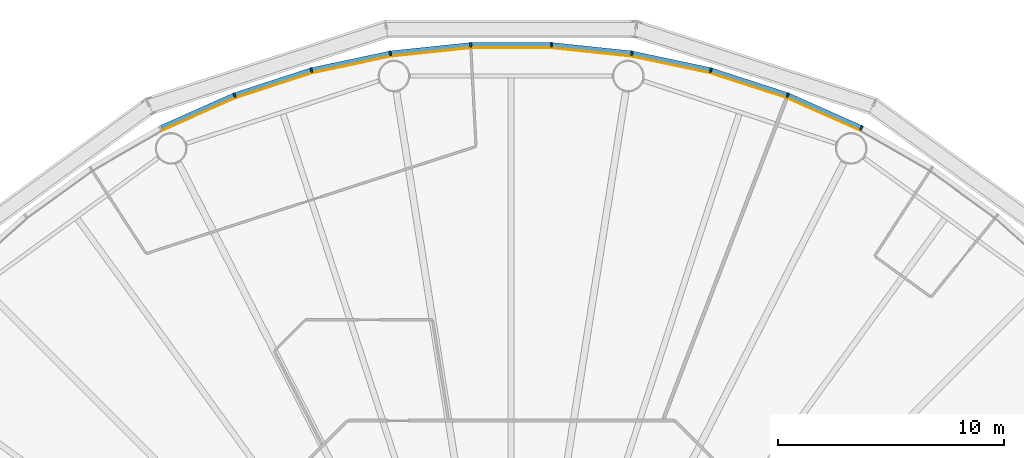
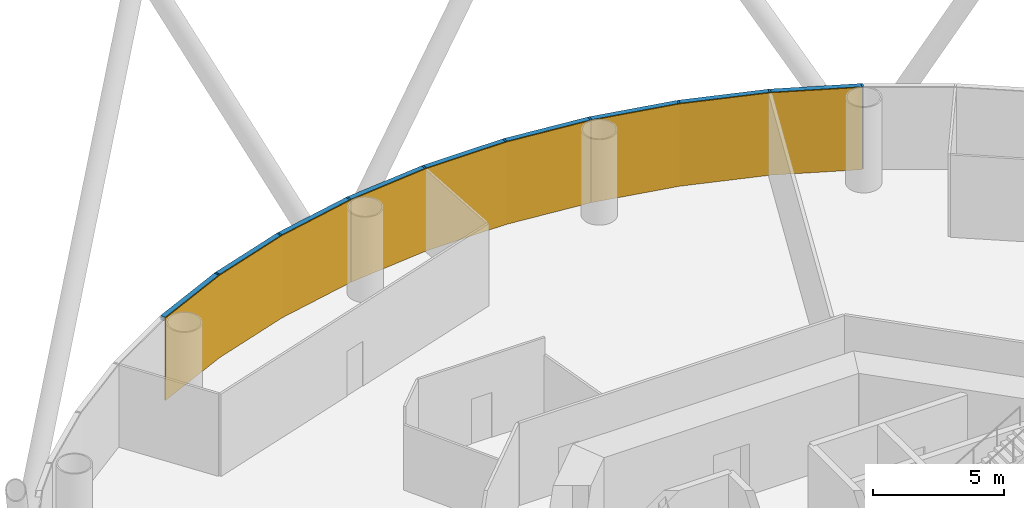
# One storey, part 12 of 13: 18 members, 3 curtain walls.
"""IFC4 building model written with IfcOpenShell, lengths in metres."""

from ifc_helpers import new_model, si_unit, direction, frame, origin, origin_2d, place, context, subcontext, project, spatial, polyline, rectangle, outline, extrude, material, layer, layer_set, material_profile, profile_set, type_object, element, aggregate, save


model = new_model("IFC4")

# Units and contexts
model_context = context("Model", 3, precision=1e-05, world=origin(), true_north=direction((0.0, 1.0)))
body_context = subcontext(model_context, "Body", "Model", "MODEL_VIEW")
ifc_project = project(units=[si_unit("LENGTHUNIT", "METRE"), si_unit("AREAUNIT", "SQUARE_METRE"), si_unit("VOLUMEUNIT", "CUBIC_METRE"), si_unit("PLANEANGLEUNIT", "RADIAN"), si_unit("MASSUNIT", "GRAM", prefix="KILO")], contexts=[model_context])

# Member
ifc_material_1 = material(Name="Anodised aluminium", Category="aluminium")
ifc_material_profile_1 = material_profile(ifc_material_1, rectangle(XDim=0.074951171875, YDim=0.219970703125, at=origin_2d()), Name="Mullion 75 x 220 mm anodised aluminium")
ifc_profile_set_1 = profile_set([ifc_material_profile_1], Name="Anodised aluminium")
member_type_1 = type_object("IfcMemberType", Name="Mullion 75 x 220 mm anodised aluminium", PredefinedType="MULLION", material=ifc_profile_set_1)
site_placement = place(None, origin())
building_placement = place(site_placement, origin())
storey_placement = place(building_placement, frame((0.0, 0.0, 18.0)))
member_1_placement = place(storey_placement, frame((105.485595703125, 110.392333984375, 0.0), z_axis=(0.0, 0.0, 1.0), x_axis=(-0.891006524188, 0.45399049974, 0.0)))
member_1 = element("IfcMember", 1, at=member_1_placement, type_object=member_type_1, Name="MULLION L02-09", PredefinedType="MULLION", context=body_context, shape_type="SweptSolid", body=[
    extrude(rectangle(XDim=0.074951171875, YDim=0.219970703125, at=origin_2d()), origin(), (0.0, 0.0, 1.0), 3.85009765625),
])

member_2_placement = place(storey_placement, frame((102.223876953125, 111.844482421875, 0.0), z_axis=(0.0, 0.0, 1.0), x_axis=(-0.933580426497, 0.358367949545, 0.0)))
member_2 = element("IfcMember", 2, at=member_2_placement, type_object=member_type_1, Name="MULLION L02-10", PredefinedType="MULLION", context=body_context, shape_type="SweptSolid", body=[
    extrude(rectangle(XDim=0.074951171875, YDim=0.219970703125, at=origin_2d()), origin(), (0.0, 0.0, 1.0), 3.85009765625),
])

member_3_placement = place(storey_placement, frame((98.828369140625, 112.94775390625, 0.0), z_axis=(0.0, 0.0, 1.0), x_axis=(-0.965925826289, 0.258819045103, 0.0)))
member_3 = element("IfcMember", 3, at=member_3_placement, type_object=member_type_1, Name="MULLION L02-11", PredefinedType="MULLION", context=body_context, shape_type="SweptSolid", body=[
    extrude(rectangle(XDim=0.074951171875, YDim=0.219970703125, at=origin_2d()), origin(), (0.0, 0.0, 1.0), 3.85009765625),
])

member_4_placement = place(storey_placement, frame((95.3359375, 113.68994140625, 0.0), z_axis=(0.0, 0.0, 1.0), x_axis=(-0.987688340595, 0.15643446504, 0.0)))
member_4 = element("IfcMember", 4, at=member_4_placement, type_object=member_type_1, Name="MULLION L02-12", PredefinedType="MULLION", context=body_context, shape_type="SweptSolid", body=[
    extrude(rectangle(XDim=0.074951171875, YDim=0.219970703125, at=origin_2d()), origin(), (0.0, 0.0, 1.0), 3.85009765625),
])

member_5_placement = place(storey_placement, frame((91.78515625, 114.063232421875, 0.0), z_axis=(0.0, 0.0, 1.0), x_axis=(-0.998629534755, 0.052335956243, 0.0)))
member_5 = element("IfcMember", 5, at=member_5_placement, type_object=member_type_1, Name="MULLION L02-13", PredefinedType="MULLION", context=body_context, shape_type="SweptSolid", body=[
    extrude(rectangle(XDim=0.074951171875, YDim=0.219970703125, at=origin_2d()), origin(), (0.0, 0.0, 1.0), 3.85009765625),
])

member_6_placement = place(storey_placement, frame((88.21484375, 114.063232421875, 0.0), z_axis=(0.0, 0.0, 1.0), x_axis=(-0.998629534755, -0.052335956243, 0.0)))
member_6 = element("IfcMember", 6, at=member_6_placement, type_object=member_type_1, Name="MULLION L02-14", PredefinedType="MULLION", context=body_context, shape_type="SweptSolid", body=[
    extrude(rectangle(XDim=0.074951171875, YDim=0.219970703125, at=origin_2d()), origin(), (0.0, 0.0, 1.0), 3.85009765625),
])

member_7_placement = place(storey_placement, frame((84.6640625, 113.68994140625, 0.0), z_axis=(0.0, 0.0, 1.0), x_axis=(-0.987688340595, -0.15643446504, 0.0)))
member_7 = element("IfcMember", 7, at=member_7_placement, type_object=member_type_1, Name="MULLION L02-15", PredefinedType="MULLION", context=body_context, shape_type="SweptSolid", body=[
    extrude(rectangle(XDim=0.074951171875, YDim=0.219970703125, at=origin_2d()), origin(), (0.0, 0.0, 1.0), 3.85009765625),
])

member_8_placement = place(storey_placement, frame((81.171630859375, 112.94775390625, 0.0), z_axis=(0.0, 0.0, 1.0), x_axis=(-0.965925826289, -0.258819045103, 0.0)))
member_8 = element("IfcMember", 8, at=member_8_placement, type_object=member_type_1, Name="MULLION L02-16", PredefinedType="MULLION", context=body_context, shape_type="SweptSolid", body=[
    extrude(rectangle(XDim=0.074951171875, YDim=0.219970703125, at=origin_2d()), origin(), (0.0, 0.0, 1.0), 3.85009765625),
])

member_9_placement = place(storey_placement, frame((77.776123046875, 111.844482421875, 0.0), z_axis=(0.0, 0.0, 1.0), x_axis=(-0.933580426497, -0.358367949545, 0.0)))
member_9 = element("IfcMember", 9, at=member_9_placement, type_object=member_type_1, Name="MULLION L02-17", PredefinedType="MULLION", context=body_context, shape_type="SweptSolid", body=[
    extrude(rectangle(XDim=0.074951171875, YDim=0.219970703125, at=origin_2d()), origin(), (0.0, 0.0, 1.0), 3.85009765625),
])

ifc_material_2 = material(Name="Anodised aluminium", Category="aluminium")
ifc_material_profile_2 = material_profile(ifc_material_2, rectangle(XDim=0.219970703125, YDim=0.199951171875, at=origin_2d()), Name="Transom 200 x 220 mm anodised aluminium")
ifc_profile_set_2 = profile_set([ifc_material_profile_2], Name="Anodised aluminium")
member_type_2 = type_object("IfcMemberType", Name="Transom 200 x 220 mm anodised aluminium", PredefinedType="USERDEFINED", material=ifc_profile_set_2)
member_10_placement = place(storey_placement, frame((105.446044921875, 110.409912109375, 3.75), z_axis=(-0.913545487371, 0.406736576304, 0.0), x_axis=(-0.406736576304, -0.913545487371, 0.0)))
member_10 = element("IfcMember", 10, at=member_10_placement, type_object=member_type_2, Name="TRANSOM L02-09", ObjectType="TRANSOM", PredefinedType="USERDEFINED", context=body_context, shape_type="SweptSolid", body=[
    extrude(rectangle(XDim=0.219970703125, YDim=0.199951171875, at=origin_2d()), origin(), (0.0, 0.0, 1.0), 3.48388671875),
])

member_11_placement = place(storey_placement, frame((102.182861328125, 111.85791015625, 3.75), z_axis=(-0.951052605696, 0.309029029702, 0.0), x_axis=(-0.309029029702, -0.951052605696, 0.0)))
member_11 = element("IfcMember", 11, at=member_11_placement, type_object=member_type_2, Name="TRANSOM L02-10", ObjectType="TRANSOM", PredefinedType="USERDEFINED", context=body_context, shape_type="SweptSolid", body=[
    extrude(rectangle(XDim=0.219970703125, YDim=0.199951171875, at=origin_2d()), origin(), (0.0, 0.0, 1.0), 3.484130859375),
])

member_12_placement = place(storey_placement, frame((98.7861328125, 112.956787109375, 3.75), z_axis=(-0.978145669426, 0.207920776701, 0.0), x_axis=(-0.207920776701, -0.978145669426, 0.0)))
member_12 = element("IfcMember", 12, at=member_12_placement, type_object=member_type_2, Name="TRANSOM L02-11", ObjectType="TRANSOM", PredefinedType="USERDEFINED", context=body_context, shape_type="SweptSolid", body=[
    extrude(rectangle(XDim=0.219970703125, YDim=0.199951171875, at=origin_2d()), origin(), (0.0, 0.0, 1.0), 3.48388671875),
])

member_13_placement = place(storey_placement, frame((95.29296875, 113.69482421875, 3.75), z_axis=(-0.994526551648, 0.104484152234, 0.0), x_axis=(-0.104484152234, -0.994526551648, 0.0)))
member_13 = element("IfcMember", 13, at=member_13_placement, type_object=member_type_2, Name="TRANSOM L02-12", ObjectType="TRANSOM", PredefinedType="USERDEFINED", context=body_context, shape_type="SweptSolid", body=[
    extrude(rectangle(XDim=0.219970703125, YDim=0.199951171875, at=origin_2d()), origin(), (0.0, 0.0, 1.0), 3.48388671875),
])

member_14_placement = place(storey_placement, frame((91.741943359375, 114.0634765625, 3.75), z_axis=(-1.0, 0.0, 0.0), x_axis=(0.0, -1.0, 0.0)))
member_14 = element("IfcMember", 14, at=member_14_placement, type_object=member_type_2, Name="TRANSOM L02-13", ObjectType="TRANSOM", PredefinedType="USERDEFINED", context=body_context, shape_type="SweptSolid", body=[
    extrude(rectangle(XDim=0.219970703125, YDim=0.199951171875, at=origin_2d()), origin(), (0.0, 0.0, 1.0), 3.48388671875),
])

member_15_placement = place(storey_placement, frame((88.171875, 114.058837890625, 3.75), z_axis=(-0.994526551648, -0.104484152234, 0.0), x_axis=(0.104484152234, -0.994526551648, 0.0)))
member_15 = element("IfcMember", 15, at=member_15_placement, type_object=member_type_2, Name="TRANSOM L02-14", ObjectType="TRANSOM", PredefinedType="USERDEFINED", context=body_context, shape_type="SweptSolid", body=[
    extrude(rectangle(XDim=0.219970703125, YDim=0.199951171875, at=origin_2d()), origin(), (0.0, 0.0, 1.0), 3.48388671875),
])

member_16_placement = place(storey_placement, frame((84.62158203125, 113.68115234375, 3.75), z_axis=(-0.978145669426, -0.207920776701, 0.0), x_axis=(0.207920776701, -0.978145669426, 0.0)))
member_16 = element("IfcMember", 16, at=member_16_placement, type_object=member_type_2, Name="TRANSOM L02-15", ObjectType="TRANSOM", PredefinedType="USERDEFINED", context=body_context, shape_type="SweptSolid", body=[
    extrude(rectangle(XDim=0.219970703125, YDim=0.199951171875, at=origin_2d()), origin(), (0.0, 0.0, 1.0), 3.48388671875),
])

member_17_placement = place(storey_placement, frame((81.130615234375, 112.9345703125, 3.75), z_axis=(-0.951052605696, -0.309029029702, 0.0), x_axis=(0.309029029702, -0.951052605696, 0.0)))
member_17 = element("IfcMember", 17, at=member_17_placement, type_object=member_type_2, Name="TRANSOM L02-16", ObjectType="TRANSOM", PredefinedType="USERDEFINED", context=body_context, shape_type="SweptSolid", body=[
    extrude(rectangle(XDim=0.219970703125, YDim=0.199951171875, at=origin_2d()), origin(), (0.0, 0.0, 1.0), 3.484130859375),
])

member_18_placement = place(storey_placement, frame((77.736572265625, 111.826904296875, 3.75), z_axis=(-0.913545487371, -0.406736576304, 0.0), x_axis=(0.406736576304, -0.913545487371, 0.0)))
member_18 = element("IfcMember", 18, at=member_18_placement, type_object=member_type_2, Name="TRANSOM L02-17", ObjectType="TRANSOM", PredefinedType="USERDEFINED", context=body_context, shape_type="SweptSolid", body=[
    extrude(rectangle(XDim=0.219970703125, YDim=0.199951171875, at=origin_2d()), origin(), (0.0, 0.0, 1.0), 3.48388671875),
])

# Site, building, storey
site = spatial("IfcSite", under=ifc_project, at=site_placement, CompositionType="ELEMENT")
building = spatial("IfcBuilding", under=site, at=building_placement, Name="Entoto Ring Tower", CompositionType="ELEMENT")
storey = spatial("IfcBuildingStorey", under=building, at=storey_placement, Name="L02", CompositionType="ELEMENT", Elevation=18.0)

# Curtain wall
ifc_material_3 = material(Name="Clear low-iron glass", Category="glass")
ifc_layer = layer(ifc_material_3, 0.0400390625)
ifc_layer_set = layer_set([ifc_layer], Name="Clear low-iron glass")
curtain_wall_type = type_object("IfcCurtainWallType", Name="Curtain wall system CW1 glazing 40 mm", PredefinedType="NOTDEFINED", material=ifc_layer_set)
curtain_wall_1_placement = place(storey_placement, origin())
curtain_wall_1 = element("IfcCurtainWall", 19, at=curtain_wall_1_placement, inside=storey, type_object=curtain_wall_type, Name="CW1 L02-04", PredefinedType="NOTDEFINED", context=body_context, shape_type="SweptSolid", body=[
    extrude(outline(polyline([(105.435791015625, 110.294189453125), (102.1845703125, 111.74169921875), (98.7998046875, 112.841552734375), (95.31884765625, 113.581298828125), (95.3125, 113.541748046875), (98.78955078125, 112.802734375), (102.170166015625, 111.704345703125), (105.41748046875, 110.258544921875), (105.435791015625, 110.294189453125)])), origin(), (0.0, 0.0, 1.0), 3.85009765625),
])

aggregate(curtain_wall_1, [member_1, member_2, member_3, member_10, member_11, member_12])

curtain_wall_2_placement = place(storey_placement, origin())
curtain_wall_2 = element("IfcCurtainWall", 20, at=curtain_wall_2_placement, inside=storey, type_object=curtain_wall_type, Name="CW1 L02-05", PredefinedType="NOTDEFINED", context=body_context, shape_type="SweptSolid", body=[
    extrude(outline(polyline([(95.31884765625, 113.581298828125), (91.779541015625, 113.953369140625), (88.220458984375, 113.953369140625), (84.68115234375, 113.581298828125), (84.6875, 113.541748046875), (88.22265625, 113.913330078125), (91.77734375, 113.913330078125), (95.3125, 113.541748046875), (95.31884765625, 113.581298828125)])), origin(), (0.0, 0.0, 1.0), 3.85009765625),
])

aggregate(curtain_wall_2, [member_4, member_5, member_6, member_13, member_14, member_15])

curtain_wall_3_placement = place(storey_placement, origin())
curtain_wall_3 = element("IfcCurtainWall", 21, at=curtain_wall_3_placement, inside=storey, type_object=curtain_wall_type, Name="CW1 L02-06", PredefinedType="NOTDEFINED", context=body_context, shape_type="SweptSolid", body=[
    extrude(outline(polyline([(84.68115234375, 113.581298828125), (81.2001953125, 112.841552734375), (77.8154296875, 111.74169921875), (74.564208984375, 110.294189453125), (74.58251953125, 110.258544921875), (77.829833984375, 111.704345703125), (81.21044921875, 112.802734375), (84.6875, 113.541748046875), (84.68115234375, 113.581298828125)])), origin(), (0.0, 0.0, 1.0), 3.85009765625),
])

aggregate(curtain_wall_3, [member_7, member_8, member_9, member_16, member_17, member_18])

save(model, "model.ifc")
